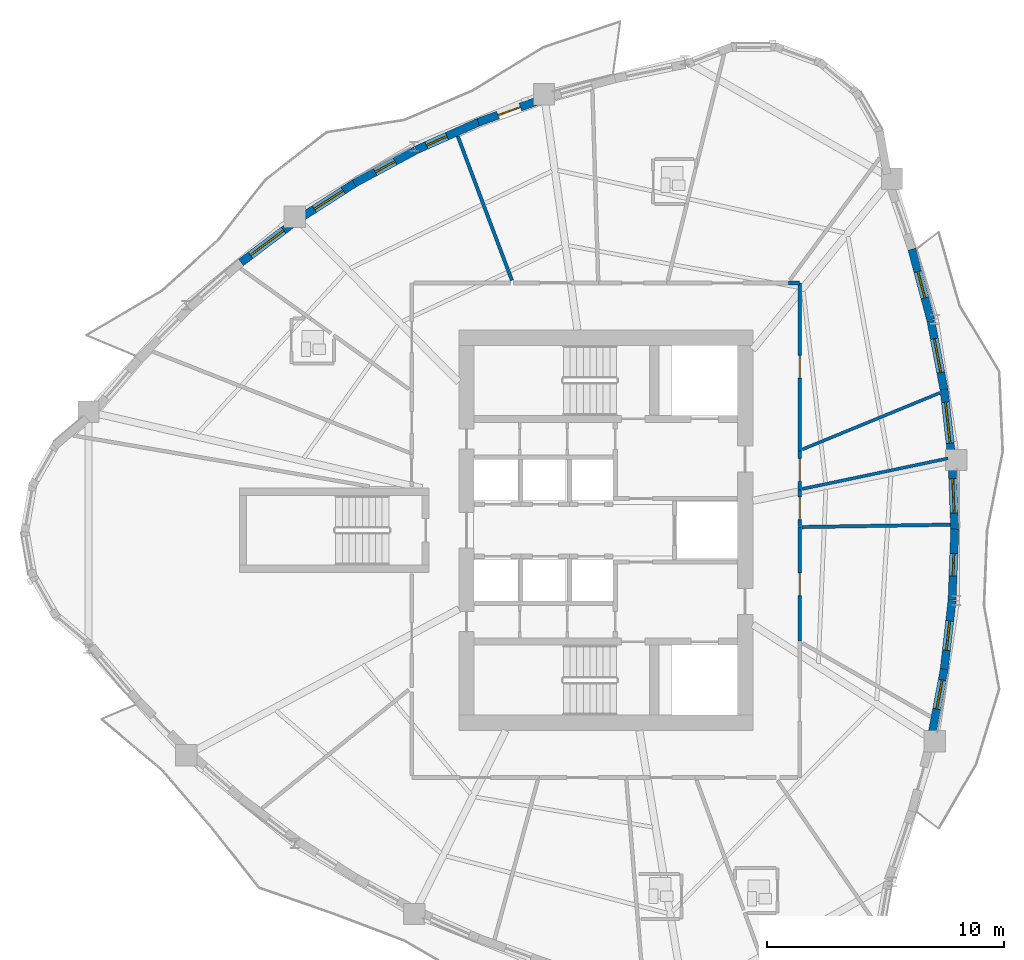
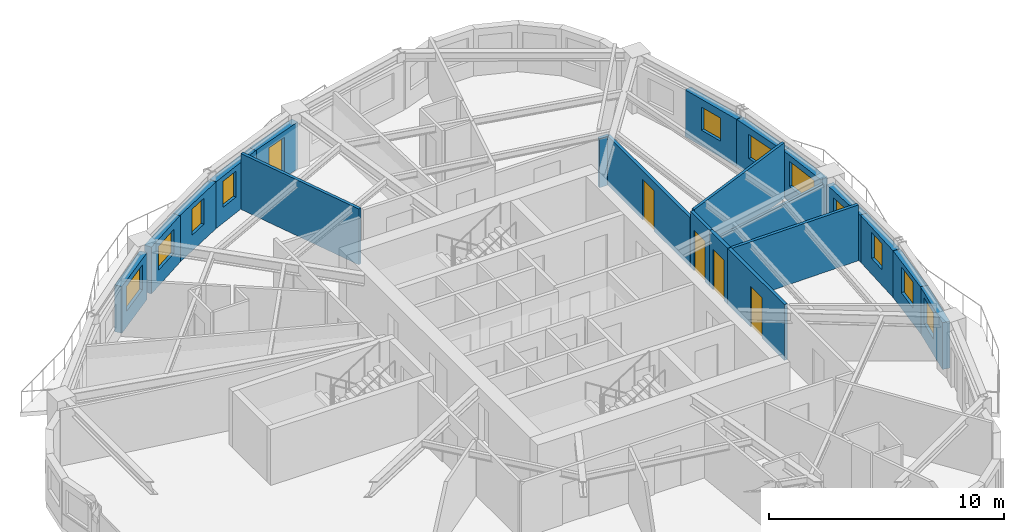
# One storey, part 7 of 12: 21 walls, 11 windows, 5 doors, 16 openings.
"""IFC4 building model written with IfcOpenShell, lengths in metres."""

from ifc_helpers import new_model, si_unit, direction, frame, frame_2d, origin, place, context, subcontext, project, spatial, rectangle, extrude, source, transform, mapped, material, layer, layer_set, type_object, element, fill, save


model = new_model("IFC4")

# Units and contexts
model_context = context("Model", 3, precision=1e-05, world=origin(), true_north=direction((0.0, 1.0)))
body_context = subcontext(model_context, "Body", "Model", "MODEL_VIEW")
ifc_project = project(units=[si_unit("LENGTHUNIT", "METRE"), si_unit("AREAUNIT", "SQUARE_METRE"), si_unit("VOLUMEUNIT", "CUBIC_METRE"), si_unit("PLANEANGLEUNIT", "RADIAN"), si_unit("MASSUNIT", "GRAM", prefix="KILO")], contexts=[model_context])

# Site, building, storey
site_placement = place(None, origin())
site = spatial("IfcSite", under=ifc_project, at=site_placement, CompositionType="ELEMENT")
building_placement = place(site_placement, origin())
building = spatial("IfcBuilding", under=site, at=building_placement, Name="Qafzar Sky-Pleat Residences", CompositionType="ELEMENT")
storey_placement = place(building_placement, frame((0.0, 0.0, 124.800048828125)))
storey = spatial("IfcBuildingStorey", under=building, at=storey_placement, Name="L37", CompositionType="ELEMENT", Elevation=124.800048828125)

# Wall, opening, door
ifc_material_1 = material(Name="Acoustic gypsum plasterboard partition", Category="gypsum")
ifc_layer_1 = layer(ifc_material_1, 0.159912109375)
ifc_layer_set_1 = layer_set([ifc_layer_1], Name="Acoustic gypsum plasterboard partition")
wall_type_1 = type_object("IfcWallType", Name="PART-COR-160", PredefinedType="PARTITIONING", material=ifc_layer_set_1)
wall_1_placement = place(storey_placement, frame((38.530029296875, 36.429931640625, 0.0), z_axis=(0.0, 0.0, 1.0), x_axis=(0.0, -1.0, 0.0)))
wall_1 = element("IfcWall", 1, at=wall_1_placement, inside=storey, type_object=wall_type_1, Name="L37 Partition Wall PART-L37-PW-001", PredefinedType="PARTITIONING", context=body_context, shape_type="SweptSolid", body=[
    extrude(rectangle(XDim=7.0830078125, YDim=0.159912109375, at=frame_2d((3.54150390625, 0.0))), origin(), (0.0, 0.0, 1.0), 2.537841796875),
])
opening_1_placement = place(wall_1_placement, frame((3.052978515625, 0.0, 0.0)))
opening_1 = element("IfcOpeningElement", 2, at=opening_1_placement, cuts=wall_1, Name="Opening ID-06", PredefinedType="OPENING", context=body_context, shape_type="SweptSolid", body=[
    extrude(rectangle(XDim=0.9599609375, YDim=2.10009765625, at=frame_2d((0.47998046875, 1.050048828125))), frame((0.0, 0.08984375, 0.0), z_axis=(0.0, -1.0, 0.0), x_axis=(1.0, 0.0, 0.0)), (0.0, 0.0, 1.0), 0.179931640625),
])
ifc_material_2 = material(Name="Timber-faced fire door", Category="wood")
door_type_1 = type_object("IfcDoorType", Name="DR-STD-960", OperationType="NOTDEFINED", PredefinedType="DOOR", material=ifc_material_2)
shared_shape_1 = source(origin(), body_context, "Body", "SweptSolid", [
    extrude(rectangle(XDim=0.9599609375, YDim=2.10009765625, at=frame_2d((0.47998046875, 1.050048828125))), frame((0.0, 0.02490234375, 0.0), z_axis=(0.0, -1.0, 0.0), x_axis=(1.0, 0.0, 0.0)), (0.0, 0.0, 1.0), 0.050048828125),
])
door_1_placement = place(opening_1_placement, origin())
door_1 = element("IfcDoor", 3, at=door_1_placement, inside=storey, type_object=door_type_1, Name="L37 Reading Library Door", OperationType="SINGLE_SWING_RIGHT", OverallHeight=2.10009765625, OverallWidth=0.9599609375, PredefinedType="DOOR", context=body_context, shape_type="MappedRepresentation", body=[
    mapped(shared_shape_1, transform((0.0, 0.0, 0.0), x_axis=(1.0, 0.0, 0.0), y_axis=(0.0, 1.0, 0.0), z_axis=(0.0, 0.0, 1.0), scale=1.0)),
])
fill(opening_1, door_1)

wall_2_placement = place(storey_placement, frame((38.530029296875, 26.14697265625, 0.0), z_axis=(0.0, 0.0, 1.0), x_axis=(0.0, -1.0, 0.0)))
wall_2 = element("IfcWall", 4, at=wall_2_placement, inside=storey, type_object=wall_type_1, Name="L37 Partition Wall PART-L37-PW-006", PredefinedType="PARTITIONING", context=body_context, shape_type="SweptSolid", body=[
    extrude(rectangle(XDim=4.81103515625, YDim=0.159912109375, at=frame_2d((2.405517578125, 0.0))), origin(), (0.0, 0.0, 1.0), 2.89990234375),
])
opening_2_placement = place(wall_2_placement, frame((1.948974609375, 0.0, 0.0)))
opening_2 = element("IfcOpeningElement", 5, at=opening_2_placement, cuts=wall_2, Name="Opening ID-06", PredefinedType="OPENING", context=body_context, shape_type="SweptSolid", body=[
    extrude(rectangle(XDim=0.9599609375, YDim=2.10009765625, at=frame_2d((0.47998046875, 1.050048828125))), frame((0.0, 0.08984375, 0.0), z_axis=(0.0, -1.0, 0.0), x_axis=(1.0, 0.0, 0.0)), (0.0, 0.0, 1.0), 0.179931640625),
])
door_2_placement = place(opening_2_placement, origin())
door_2 = element("IfcDoor", 6, at=door_2_placement, inside=storey, type_object=door_type_1, Name="L37 Media Screening Room Door", OperationType="SINGLE_SWING_RIGHT", OverallHeight=2.10009765625, OverallWidth=0.9599609375, PredefinedType="DOOR", context=body_context, shape_type="MappedRepresentation", body=[
    mapped(shared_shape_1, transform((0.0, 0.0, 0.0), x_axis=(1.0, 0.0, 0.0), y_axis=(0.0, 1.0, 0.0), z_axis=(0.0, 0.0, 1.0), scale=1.0)),
])
fill(opening_2, door_2)

wall_3_placement = place(storey_placement, frame((38.530029296875, 29.33203125, 0.0), z_axis=(0.0, 0.0, 1.0), x_axis=(0.0, -1.0, 0.0)))
wall_3 = element("IfcWall", 7, at=wall_3_placement, inside=storey, type_object=wall_type_1, Name="L37 Partition Wall PART-L37-PW-018", PredefinedType="PARTITIONING", context=body_context, shape_type="SweptSolid", body=[
    extrude(rectangle(XDim=1.629150390625, YDim=0.159912109375, at=frame_2d((0.814453125, 0.0))), origin(), (0.0, 0.0, 1.0), 2.89990234375),
])
opening_3_placement = place(wall_3_placement, frame((0.31591796875, 0.0, 0.0)))
opening_3 = element("IfcOpeningElement", 8, at=opening_3_placement, cuts=wall_3, Name="Opening ID-08", PredefinedType="OPENING", context=body_context, shape_type="SweptSolid", body=[
    extrude(rectangle(XDim=0.949951171875, YDim=2.10009765625, at=frame_2d((0.47509765625, 1.050048828125))), frame((0.0, 0.08984375, 0.0), z_axis=(0.0, -1.0, 0.0), x_axis=(1.0, 0.0, 0.0)), (0.0, 0.0, 1.0), 0.179931640625),
])
door_type_2 = type_object("IfcDoorType", Name="DR-AWC-950", OperationType="NOTDEFINED", PredefinedType="DOOR", material=ifc_material_2)
shared_shape_2 = source(origin(), body_context, "Body", "SweptSolid", [
    extrude(rectangle(XDim=0.949951171875, YDim=2.10009765625, at=frame_2d((0.47509765625, 1.050048828125))), frame((0.0, 0.02490234375, 0.0), z_axis=(0.0, -1.0, 0.0), x_axis=(1.0, 0.0, 0.0)), (0.0, 0.0, 1.0), 0.050048828125),
])
door_3_placement = place(opening_3_placement, origin())
door_3 = element("IfcDoor", 9, at=door_3_placement, inside=storey, type_object=door_type_2, Name="L37 Accessible Shared Washroom Door", OperationType="SINGLE_SWING_LEFT", OverallHeight=2.10009765625, OverallWidth=0.949951171875, PredefinedType="DOOR", context=body_context, shape_type="MappedRepresentation", body=[
    mapped(shared_shape_2, transform((0.0, 0.0, 0.0), x_axis=(1.0, 0.0, 0.0), y_axis=(0.0, 1.0, 0.0), z_axis=(0.0, 0.0, 1.0), scale=1.0)),
])
fill(opening_3, door_3)

wall_4_placement = place(storey_placement, frame((38.530029296875, 27.68798828125, 0.0), z_axis=(0.0, 0.0, 1.0), x_axis=(0.0, -1.0, 0.0)))
wall_4 = element("IfcWall", 10, at=wall_4_placement, inside=storey, type_object=wall_type_1, Name="L37 Partition Wall PART-L37-PW-019", PredefinedType="PARTITIONING", context=body_context, shape_type="SweptSolid", body=[
    extrude(rectangle(XDim=1.52587890625, YDim=0.159912109375, at=frame_2d((0.762939453125, 0.0))), origin(), (0.0, 0.0, 1.0), 2.89990234375),
])
opening_4_placement = place(wall_4_placement, frame((0.282958984375, 0.0, 0.0)))
opening_4 = element("IfcOpeningElement", 11, at=opening_4_placement, cuts=wall_4, Name="Opening ID-06", PredefinedType="OPENING", context=body_context, shape_type="SweptSolid", body=[
    extrude(rectangle(XDim=0.9599609375, YDim=2.10009765625, at=frame_2d((0.47998046875, 1.050048828125))), frame((0.0, 0.08984375, 0.0), z_axis=(0.0, -1.0, 0.0), x_axis=(1.0, 0.0, 0.0)), (0.0, 0.0, 1.0), 0.179931640625),
])
door_4_placement = place(opening_4_placement, origin())
door_4 = element("IfcDoor", 12, at=door_4_placement, inside=storey, type_object=door_type_1, Name="L37 Scholar Study Room Door", OperationType="SINGLE_SWING_RIGHT", OverallHeight=2.10009765625, OverallWidth=0.9599609375, PredefinedType="DOOR", context=body_context, shape_type="MappedRepresentation", body=[
    mapped(shared_shape_1, transform((0.0, 0.0, 0.0), x_axis=(1.0, 0.0, 0.0), y_axis=(0.0, 1.0, 0.0), z_axis=(0.0, 0.0, 1.0), scale=1.0)),
])
fill(opening_4, door_4)

# Walls
wall_5_placement = place(storey_placement, frame((38.05810546875, 36.429931640625, 0.0), z_axis=(0.0, 0.0, 1.0), x_axis=(1.0, 0.0, 0.0)))
element("IfcWall", 13, at=wall_5_placement, inside=storey, type_object=wall_type_1, Name="L37 Partition Wall PART-L37-PW-056", PredefinedType="PARTITIONING", context=body_context, shape_type="SweptSolid", body=[
    extrude(rectangle(XDim=0.471923828125, YDim=0.159912109375, at=frame_2d((0.23583984375, 0.0))), origin(), (0.0, 0.0, 1.0), 2.537841796875),
])
ifc_layer_2 = layer(ifc_material_1, 0.14501953125)
ifc_layer_set_2 = layer_set([ifc_layer_2], Name="Acoustic gypsum plasterboard partition")
wall_type_2 = type_object("IfcWallType", Name="PART-UNIT-145", PredefinedType="PARTITIONING", material=ifc_layer_set_2)
wall_6_placement = place(storey_placement, frame((24.106689453125, 42.621337890625, 0.0), z_axis=(0.0, 0.0, 1.0), x_axis=(0.351605509999, -0.93614826034, 0.0)))
element("IfcWall", 14, at=wall_6_placement, inside=storey, type_object=wall_type_2, Name="L37 Partition Wall PART-L37-PW-028", PredefinedType="PARTITIONING", context=body_context, shape_type="SweptSolid", body=[
    extrude(rectangle(XDim=6.492919921875, YDim=0.14501953125, at=frame_2d((3.24658203125, 0.0))), origin(), (0.0, 0.0, 1.0), 2.89990234375),
])
wall_7_placement = place(storey_placement, frame((38.619140625, 26.13330078125, 0.0), z_axis=(0.0, 0.0, 1.0), x_axis=(0.999869130012, 0.016177850558, 0.0)))
element("IfcWall", 15, at=wall_7_placement, inside=storey, type_object=wall_type_2, Name="L37 Partition Wall PART-L37-PW-033", PredefinedType="PARTITIONING", context=body_context, shape_type="SweptSolid", body=[
    extrude(rectangle(XDim=6.2626953125, YDim=0.14501953125, at=frame_2d((3.13134765625, 0.0))), origin(), (0.0, 0.0, 1.0), 2.89990234375),
])
ifc_material_3 = material(Name="Moisture-resistant gypsum partition", Category="gypsum")
ifc_layer_3 = layer(ifc_material_3, 0.1298828125)
ifc_layer_set_3 = layer_set([ifc_layer_3], Name="Moisture-resistant gypsum partition")
wall_type_3 = type_object("IfcWallType", Name="PART-WET-130", PredefinedType="PARTITIONING", material=ifc_layer_set_3)
wall_8_placement = place(storey_placement, frame((38.64208984375, 29.41015625, 0.0), z_axis=(0.0, 0.0, 1.0), x_axis=(0.924865201518, 0.380295094659, 0.0)))
element("IfcWall", 16, at=wall_8_placement, inside=storey, type_object=wall_type_3, Name="L37 Partition Wall PART-L37-PW-030", PredefinedType="PARTITIONING", context=body_context, shape_type="SweptSolid", body=[
    extrude(rectangle(XDim=6.265625, YDim=0.1298828125, at=frame_2d((3.1328125, 0.0))), origin(), (0.0, 0.0, 1.0), 2.89990234375),
])
wall_9_placement = place(storey_placement, frame((38.631103515625, 27.7392578125, 0.0), z_axis=(0.0, 0.0, 1.0), x_axis=(0.978654667538, 0.205511658323, 0.0)))
element("IfcWall", 17, at=wall_9_placement, inside=storey, type_object=wall_type_3, Name="L37 Partition Wall PART-L37-PW-032", PredefinedType="PARTITIONING", context=body_context, shape_type="SweptSolid", body=[
    extrude(rectangle(XDim=6.290283203125, YDim=0.1298828125, at=frame_2d((3.14501953125, 0.0))), origin(), (0.0, 0.0, 1.0), 2.31787109375),
])

# Wall, opening, window
ifc_material_4 = material(Name="Precast concrete C40/50 with honed Riyadh limestone", Category="concrete")
ifc_layer_4 = layer(ifc_material_4, 0.340087890625)
ifc_layer_set_4 = layer_set([ifc_layer_4], Name="Precast concrete C40/50 with honed Riyadh limestone")
wall_type_4 = type_object("IfcWallType", Name="WALL-EXT-340", PredefinedType="SOLIDWALL", material=ifc_layer_set_4)
wall_10_placement = place(storey_placement, frame((44.101318359375, 17.361083984375, 0.0), z_axis=(0.0, 0.0, 1.0), x_axis=(0.186739007234, 0.982409559795, 0.0)))
wall_10 = element("IfcWall", 18, at=wall_10_placement, inside=storey, type_object=wall_type_4, Name="L37 Limestone Facade Wall 25", PredefinedType="SOLIDWALL", context=body_context, shape_type="SweptSolid", body=[
    extrude(rectangle(XDim=2.82666015625, YDim=0.340087890625, at=frame_2d((1.413330078125, 0.0))), origin(), (0.0, 0.0, 1.0), 2.429931640625),
])
opening_5_placement = place(wall_10_placement, frame((1.117919921875, 0.0, 0.820068359375)))
opening_5 = element("IfcOpeningElement", 19, at=opening_5_placement, cuts=wall_10, Name="Opening WN-11", PredefinedType="OPENING", context=body_context, shape_type="SweptSolid", body=[
    extrude(rectangle(XDim=1.25, YDim=1.35009765625, at=frame_2d((0.625, 0.675048828125))), frame((0.0, 0.18017578125, 0.0), z_axis=(0.0, -1.0, 0.0), x_axis=(1.0, 0.0, 0.0)), (0.0, 0.0, 1.0), 0.360107421875),
])
ifc_material_5 = material(Name="Solar-control low-E glass in bronze aluminium frame", Category="glass")
window_type_1 = type_object("IfcWindowType", Name="WIN-11", PartitioningType="SINGLE_PANEL", PredefinedType="WINDOW", material=ifc_material_5)
shared_shape_3 = source(origin(), body_context, "Body", "SweptSolid", [
    extrude(rectangle(XDim=1.25, YDim=1.35009765625, at=frame_2d((0.625, 0.675048828125))), frame((0.0, 0.030029296875, 0.0), z_axis=(0.0, -1.0, 0.0), x_axis=(1.0, 0.0, 0.0)), (0.0, 0.0, 1.0), 0.06005859375),
])
window_1_placement = place(opening_5_placement, origin())
window_1 = element("IfcWindow", 20, at=window_1_placement, inside=storey, type_object=window_type_1, Name="L37 Punched Facade Window 25-2", OverallHeight=1.35009765625, OverallWidth=1.25, PartitioningType="SINGLE_PANEL", PredefinedType="WINDOW", context=body_context, shape_type="MappedRepresentation", body=[
    mapped(shared_shape_3, transform((0.0, 0.0, 0.0), x_axis=(1.0, 0.0, 0.0), y_axis=(0.0, 1.0, 0.0), z_axis=(0.0, 0.0, 1.0), scale=1.0)),
])
fill(opening_5, window_1)

wall_11_placement = place(storey_placement, frame((44.61572265625, 20.05029296875, 0.0), z_axis=(0.0, 0.0, 1.0), x_axis=(0.113250801133, 0.993566432627, 0.0)))
wall_11 = element("IfcWall", 21, at=wall_11_placement, inside=storey, type_object=wall_type_4, Name="L37 Limestone Facade Wall 26", PredefinedType="SOLIDWALL", context=body_context, shape_type="SweptSolid", body=[
    extrude(rectangle(XDim=3.0029296875, YDim=0.340087890625, at=frame_2d((1.50146484375, 0.0))), origin(), (0.0, 0.0, 1.0), 2.429931640625),
])
opening_6_placement = place(wall_11_placement, frame((0.886474609375, 0.0, 0.820068359375)))
opening_6 = element("IfcOpeningElement", 22, at=opening_6_placement, cuts=wall_11, Name="Opening WN-11", PredefinedType="OPENING", context=body_context, shape_type="SweptSolid", body=[
    extrude(rectangle(XDim=1.25, YDim=1.35009765625, at=frame_2d((0.625, 0.675048828125))), frame((0.0, 0.18017578125, 0.0), z_axis=(0.0, -1.0, 0.0), x_axis=(1.0, 0.0, 0.0)), (0.0, 0.0, 1.0), 0.360107421875),
])
window_2_placement = place(opening_6_placement, origin())
window_2 = element("IfcWindow", 23, at=window_2_placement, inside=storey, type_object=window_type_1, Name="L37 Punched Facade Window 26", OverallHeight=1.35009765625, OverallWidth=1.25, PartitioningType="SINGLE_PANEL", PredefinedType="WINDOW", context=body_context, shape_type="MappedRepresentation", body=[
    mapped(shared_shape_3, transform((0.0, 0.0, 0.0), x_axis=(1.0, 0.0, 0.0), y_axis=(0.0, 1.0, 0.0), z_axis=(0.0, 0.0, 1.0), scale=1.0)),
])
fill(opening_6, window_2)

wall_12_placement = place(storey_placement, frame((44.9580078125, 23.060791015625, 0.0), z_axis=(0.0, 0.0, 1.0), x_axis=(0.037940097137, 0.999280015326, 0.0)))
wall_12 = element("IfcWall", 24, at=wall_12_placement, inside=storey, type_object=wall_type_4, Name="L37 Limestone Facade Wall 27", PredefinedType="SOLIDWALL", context=body_context, shape_type="SweptSolid", body=[
    extrude(rectangle(XDim=2.98583984375, YDim=0.340087890625, at=frame_2d((1.492919921875, 0.0))), origin(), (0.0, 0.0, 1.0), 2.429931640625),
])
opening_7_placement = place(wall_12_placement, frame((1.0078125, 0.0, 0.820068359375)))
opening_7 = element("IfcOpeningElement", 25, at=opening_7_placement, cuts=wall_12, Name="Opening WN-12", PredefinedType="OPENING", context=body_context, shape_type="SweptSolid", body=[
    extrude(rectangle(XDim=0.949951171875, YDim=1.35009765625, at=frame_2d((0.47509765625, 0.675048828125))), frame((0.0, 0.18017578125, 0.0), z_axis=(0.0, -1.0, 0.0), x_axis=(1.0, 0.0, 0.0)), (0.0, 0.0, 1.0), 0.360107421875),
])
window_type_2 = type_object("IfcWindowType", Name="WIN-12", PartitioningType="SINGLE_PANEL", PredefinedType="WINDOW", material=ifc_material_5)
shared_shape_4 = source(origin(), body_context, "Body", "SweptSolid", [
    extrude(rectangle(XDim=0.949951171875, YDim=1.35009765625, at=frame_2d((0.47509765625, 0.675048828125))), frame((0.0, 0.030029296875, 0.0), z_axis=(0.0, -1.0, 0.0), x_axis=(1.0, 0.0, 0.0)), (0.0, 0.0, 1.0), 0.06005859375),
])
window_3_placement = place(opening_7_placement, origin())
window_3 = element("IfcWindow", 26, at=window_3_placement, inside=storey, type_object=window_type_2, Name="L37 Punched Facade Window 27", OverallHeight=1.35009765625, OverallWidth=0.949951171875, PartitioningType="SINGLE_PANEL", PredefinedType="WINDOW", context=body_context, shape_type="MappedRepresentation", body=[
    mapped(shared_shape_4, transform((0.0, 0.0, 0.0), x_axis=(1.0, 0.0, 0.0), y_axis=(0.0, 1.0, 0.0), z_axis=(0.0, 0.0, 1.0), scale=1.0)),
])
fill(opening_7, window_3)

wall_13_placement = place(storey_placement, frame((45.0712890625, 25.95556640625, 0.0), z_axis=(0.0, 0.0, 1.0), x_axis=(-0.037997361734, 0.999277839493, 0.0)))
wall_13 = element("IfcWall", 27, at=wall_13_placement, inside=storey, type_object=wall_type_4, Name="L37 Limestone Facade Wall 28", PredefinedType="SOLIDWALL", context=body_context, shape_type="SweptSolid", body=[
    extrude(rectangle(XDim=2.775634765625, YDim=0.340087890625, at=frame_2d((1.3876953125, 0.0))), origin(), (0.0, 0.0, 1.0), 2.429931640625),
])
opening_8_placement = place(wall_13_placement, frame((0.7705078125, 0.0, 0.820068359375)))
opening_8 = element("IfcOpeningElement", 28, at=opening_8_placement, cuts=wall_13, Name="Opening WN-15", PredefinedType="OPENING", context=body_context, shape_type="SweptSolid", body=[
    extrude(rectangle(XDim=1.449951171875, YDim=1.25, at=frame_2d((0.72509765625, 0.625))), frame((0.0, 0.18017578125, 0.0), z_axis=(0.0, -1.0, 0.0), x_axis=(1.0, 0.0, 0.0)), (0.0, 0.0, 1.0), 0.360107421875),
])
window_type_3 = type_object("IfcWindowType", Name="WIN-15", PartitioningType="SINGLE_PANEL", PredefinedType="WINDOW", material=ifc_material_5)
shared_shape_5 = source(origin(), body_context, "Body", "SweptSolid", [
    extrude(rectangle(XDim=1.449951171875, YDim=1.25, at=frame_2d((0.72509765625, 0.625))), frame((0.0, 0.030029296875, 0.0), z_axis=(0.0, -1.0, 0.0), x_axis=(1.0, 0.0, 0.0)), (0.0, 0.0, 1.0), 0.06005859375),
])
window_4_placement = place(opening_8_placement, origin())
window_4 = element("IfcWindow", 29, at=window_4_placement, inside=storey, type_object=window_type_3, Name="L37 Punched Facade Window 28", OverallHeight=1.25, OverallWidth=1.449951171875, PartitioningType="SINGLE_PANEL", PredefinedType="WINDOW", context=body_context, shape_type="MappedRepresentation", body=[
    mapped(shared_shape_5, transform((0.0, 0.0, 0.0), x_axis=(1.0, 0.0, 0.0), y_axis=(0.0, 1.0, 0.0), z_axis=(0.0, 0.0, 1.0), scale=1.0)),
])
fill(opening_8, window_4)

wall_14_placement = place(storey_placement, frame((44.93212890625, 29.1748046875, 0.0), z_axis=(0.0, 0.0, 1.0), x_axis=(-0.113290188042, 0.993561942354, 0.0)))
wall_14 = element("IfcWall", 30, at=wall_14_placement, inside=storey, type_object=wall_type_4, Name="L37 Limestone Facade Wall 29", PredefinedType="SOLIDWALL", context=body_context, shape_type="SweptSolid", body=[
    extrude(rectangle(XDim=2.79296875, YDim=0.340087890625, at=frame_2d((1.396484375, 0.0))), origin(), (0.0, 0.0, 1.0), 2.429931640625),
])
opening_9_placement = place(wall_14_placement, frame((0.493408203125, 0.0, 0.820068359375)))
opening_9 = element("IfcOpeningElement", 31, at=opening_9_placement, cuts=wall_14, Name="Opening WN-14", PredefinedType="OPENING", context=body_context, shape_type="SweptSolid", body=[
    extrude(rectangle(XDim=1.75, YDim=1.300048828125, at=frame_2d((0.875, 0.64990234375))), frame((0.0, 0.18017578125, 0.0), z_axis=(0.0, -1.0, 0.0), x_axis=(1.0, 0.0, 0.0)), (0.0, 0.0, 1.0), 0.360107421875),
])
window_type_4 = type_object("IfcWindowType", Name="WIN-14", PartitioningType="DOUBLE_PANEL_VERTICAL", PredefinedType="WINDOW", material=ifc_material_5)
shared_shape_6 = source(origin(), body_context, "Body", "SweptSolid", [
    extrude(rectangle(XDim=1.75, YDim=1.300048828125, at=frame_2d((0.875, 0.64990234375))), frame((0.0, 0.030029296875, 0.0), z_axis=(0.0, -1.0, 0.0), x_axis=(1.0, 0.0, 0.0)), (0.0, 0.0, 1.0), 0.06005859375),
])
window_5_placement = place(opening_9_placement, origin())
window_5 = element("IfcWindow", 32, at=window_5_placement, inside=storey, type_object=window_type_4, Name="L37 Punched Facade Window 29", OverallHeight=1.300048828125, OverallWidth=1.75, PartitioningType="SINGLE_PANEL", PredefinedType="WINDOW", context=body_context, shape_type="MappedRepresentation", body=[
    mapped(shared_shape_6, transform((0.0, 0.0, 0.0), x_axis=(1.0, 0.0, 0.0), y_axis=(0.0, 1.0, 0.0), z_axis=(0.0, 0.0, 1.0), scale=1.0)),
])
fill(opening_9, window_5)

wall_15_placement = place(storey_placement, frame((44.629150390625, 31.862060546875, 0.0), z_axis=(0.0, 0.0, 1.0), x_axis=(-0.186690909565, 0.982418701108, 0.0)))
wall_15 = element("IfcWall", 33, at=wall_15_placement, inside=storey, type_object=wall_type_4, Name="L37 Limestone Facade Wall 30", PredefinedType="SOLIDWALL", context=body_context, shape_type="SweptSolid", body=[
    extrude(rectangle(XDim=3.03662109375, YDim=0.340087890625, at=frame_2d((1.518310546875, 0.0))), origin(), (0.0, 0.0, 1.0), 2.429931640625),
])
opening_10_placement = place(wall_15_placement, frame((0.80322265625, 0.0, 0.820068359375)))
opening_10 = element("IfcOpeningElement", 34, at=opening_10_placement, cuts=wall_15, Name="Opening WN-15", PredefinedType="OPENING", context=body_context, shape_type="SweptSolid", body=[
    extrude(rectangle(XDim=1.449951171875, YDim=1.25, at=frame_2d((0.72509765625, 0.625))), frame((0.0, 0.18017578125, 0.0), z_axis=(0.0, -1.0, 0.0), x_axis=(1.0, 0.0, 0.0)), (0.0, 0.0, 1.0), 0.360107421875),
])
window_6_placement = place(opening_10_placement, origin())
window_6 = element("IfcWindow", 35, at=window_6_placement, inside=storey, type_object=window_type_3, Name="L37 Punched Facade Window 30", OverallHeight=1.25, OverallWidth=1.449951171875, PartitioningType="SINGLE_PANEL", PredefinedType="WINDOW", context=body_context, shape_type="MappedRepresentation", body=[
    mapped(shared_shape_5, transform((0.0, 0.0, 0.0), x_axis=(1.0, 0.0, 0.0), y_axis=(0.0, 1.0, 0.0), z_axis=(0.0, 0.0, 1.0), scale=1.0)),
])
fill(opening_10, window_6)

wall_16_placement = place(storey_placement, frame((44.05615234375, 34.872314453125, 0.0), z_axis=(0.0, 0.0, 1.0), x_axis=(-0.257081647056, 0.966389686797, 0.0)))
wall_16 = element("IfcWall", 36, at=wall_16_placement, inside=storey, type_object=wall_type_4, Name="L37 Limestone Facade Wall 31", PredefinedType="SOLIDWALL", context=body_context, shape_type="SweptSolid", body=[
    extrude(rectangle(XDim=3.08642578125, YDim=0.340087890625, at=frame_2d((1.543212890625, 0.0))), origin(), (0.0, 0.0, 1.0), 2.429931640625),
])
opening_11_placement = place(wall_16_placement, frame((0.958251953125, 0.0, 0.820068359375)))
opening_11 = element("IfcOpeningElement", 37, at=opening_11_placement, cuts=wall_16, Name="Opening WN-16", PredefinedType="OPENING", context=body_context, shape_type="SweptSolid", body=[
    extrude(rectangle(XDim=1.14990234375, YDim=1.199951171875, at=frame_2d((0.574951171875, 0.60009765625))), frame((0.0, 0.18017578125, 0.0), z_axis=(0.0, -1.0, 0.0), x_axis=(1.0, 0.0, 0.0)), (0.0, 0.0, 1.0), 0.360107421875),
])
window_type_5 = type_object("IfcWindowType", Name="WIN-16", PartitioningType="SINGLE_PANEL", PredefinedType="WINDOW", material=ifc_material_5)
shared_shape_7 = source(origin(), body_context, "Body", "SweptSolid", [
    extrude(rectangle(XDim=1.14990234375, YDim=1.199951171875, at=frame_2d((0.574951171875, 0.60009765625))), frame((0.0, 0.030029296875, 0.0), z_axis=(0.0, -1.0, 0.0), x_axis=(1.0, 0.0, 0.0)), (0.0, 0.0, 1.0), 0.06005859375),
])
window_7_placement = place(opening_11_placement, origin())
window_7 = element("IfcWindow", 38, at=window_7_placement, inside=storey, type_object=window_type_5, Name="L37 Punched Facade Window 31", OverallHeight=1.199951171875, OverallWidth=1.14990234375, PartitioningType="SINGLE_PANEL", PredefinedType="WINDOW", context=body_context, shape_type="MappedRepresentation", body=[
    mapped(shared_shape_7, transform((0.0, 0.0, 0.0), x_axis=(1.0, 0.0, 0.0), y_axis=(0.0, 1.0, 0.0), z_axis=(0.0, 0.0, 1.0), scale=1.0)),
])
fill(opening_11, window_7)

# Wall, opening, door
wall_17_placement = place(storey_placement, frame((27.58642578125, 44.1494140625, 0.0), z_axis=(0.0, 0.0, 1.0), x_axis=(-0.941112277287, -0.338094190338, 0.0)))
wall_17 = element("IfcWall", 39, at=wall_17_placement, inside=storey, type_object=wall_type_4, Name="L37 Limestone Facade Wall 41", PredefinedType="SOLIDWALL", context=body_context, shape_type="SweptSolid", body=[
    extrude(rectangle(XDim=2.779296875, YDim=0.340087890625, at=frame_2d((1.3896484375, 0.0))), origin(), (0.0, 0.0, 1.0), 2.429931640625),
])
opening_12_placement = place(wall_17_placement, frame((0.889892578125, 0.0, 0.0)))
opening_12 = element("IfcOpeningElement", 40, at=opening_12_placement, cuts=wall_17, Name="Opening ED-05", PredefinedType="OPENING", context=body_context, shape_type="SweptSolid", body=[
    extrude(rectangle(XDim=1.0, YDim=2.10009765625, at=frame_2d((0.5, 1.050048828125))), frame((0.0, 0.18017578125, 0.0), z_axis=(0.0, -1.0, 0.0), x_axis=(1.0, 0.0, 0.0)), (0.0, 0.0, 1.0), 0.360107421875),
])
ifc_material_6 = material(Name="Glazed bronze aluminium door", Category="aluminium")
door_type_3 = type_object("IfcDoorType", Name="DR-BAL-1000", OperationType="NOTDEFINED", PredefinedType="DOOR", material=ifc_material_6)
shared_shape_8 = source(origin(), body_context, "Body", "SweptSolid", [
    extrude(rectangle(XDim=1.0, YDim=2.10009765625, at=frame_2d((0.5, 1.050048828125))), frame((0.0, 0.02490234375, 0.0), z_axis=(0.0, -1.0, 0.0), x_axis=(1.0, 0.0, 0.0)), (0.0, 0.0, 1.0), 0.050048828125),
])
door_5_placement = place(opening_12_placement, origin())
door_5 = element("IfcDoor", 41, at=door_5_placement, inside=storey, type_object=door_type_3, Name="L37 Glazed Balcony Door 2", OperationType="SINGLE_SWING_LEFT", OverallHeight=2.10009765625, OverallWidth=1.0, PredefinedType="DOOR", context=body_context, shape_type="MappedRepresentation", body=[
    mapped(shared_shape_8, transform((0.0, 0.0, 0.0), x_axis=(1.0, 0.0, 0.0), y_axis=(0.0, 1.0, 0.0), z_axis=(0.0, 0.0, 1.0), scale=1.0)),
])
fill(opening_12, door_5)

# Wall, opening, window
wall_18_placement = place(storey_placement, frame((25.052978515625, 43.24267578125, 0.0), z_axis=(0.0, 0.0, 1.0), x_axis=(-0.91339900063, -0.407065431655, 0.0)))
wall_18 = element("IfcWall", 42, at=wall_18_placement, inside=storey, type_object=wall_type_4, Name="L37 Limestone Facade Wall 42", PredefinedType="SOLIDWALL", context=body_context, shape_type="SweptSolid", body=[
    extrude(rectangle(XDim=2.956298828125, YDim=0.340087890625, at=frame_2d((1.47802734375, 0.0))), origin(), (0.0, 0.0, 1.0), 2.429931640625),
])
opening_13_placement = place(wall_18_placement, frame((1.53125, 0.0, 0.820068359375)))
opening_13 = element("IfcOpeningElement", 43, at=opening_13_placement, cuts=wall_18, Name="Opening WN-12", PredefinedType="OPENING", context=body_context, shape_type="SweptSolid", body=[
    extrude(rectangle(XDim=0.949951171875, YDim=1.35009765625, at=frame_2d((0.47509765625, 0.675048828125))), frame((0.0, 0.18017578125, 0.0), z_axis=(0.0, -1.0, 0.0), x_axis=(1.0, 0.0, 0.0)), (0.0, 0.0, 1.0), 0.360107421875),
])
window_8_placement = place(opening_13_placement, origin())
window_8 = element("IfcWindow", 44, at=window_8_placement, inside=storey, type_object=window_type_2, Name="L37 Punched Facade Window 42-2", OverallHeight=1.35009765625, OverallWidth=0.949951171875, PartitioningType="SINGLE_PANEL", PredefinedType="WINDOW", context=body_context, shape_type="MappedRepresentation", body=[
    mapped(shared_shape_4, transform((0.0, 0.0, 0.0), x_axis=(1.0, 0.0, 0.0), y_axis=(0.0, 1.0, 0.0), z_axis=(0.0, 0.0, 1.0), scale=1.0)),
])
fill(opening_13, window_8)

wall_19_placement = place(storey_placement, frame((22.328369140625, 42.027099609375, 0.0), z_axis=(0.0, 0.0, 1.0), x_axis=(-0.880092136679, -0.474802939077, 0.0)))
wall_19 = element("IfcWall", 45, at=wall_19_placement, inside=storey, type_object=wall_type_4, Name="L37 Limestone Facade Wall 43", PredefinedType="SOLIDWALL", context=body_context, shape_type="SweptSolid", body=[
    extrude(rectangle(XDim=2.939697265625, YDim=0.340087890625, at=frame_2d((1.4697265625, 0.0))), origin(), (0.0, 0.0, 1.0), 2.429931640625),
])
opening_14_placement = place(wall_19_placement, frame((0.98486328125, 0.0, 0.820068359375)))
opening_14 = element("IfcOpeningElement", 46, at=opening_14_placement, cuts=wall_19, Name="Opening WN-12", PredefinedType="OPENING", context=body_context, shape_type="SweptSolid", body=[
    extrude(rectangle(XDim=0.949951171875, YDim=1.35009765625, at=frame_2d((0.47509765625, 0.675048828125))), frame((0.0, 0.18017578125, 0.0), z_axis=(0.0, -1.0, 0.0), x_axis=(1.0, 0.0, 0.0)), (0.0, 0.0, 1.0), 0.360107421875),
])
window_9_placement = place(opening_14_placement, origin())
window_9 = element("IfcWindow", 47, at=window_9_placement, inside=storey, type_object=window_type_2, Name="L37 Punched Facade Window 43", OverallHeight=1.35009765625, OverallWidth=0.949951171875, PartitioningType="SINGLE_PANEL", PredefinedType="WINDOW", context=body_context, shape_type="MappedRepresentation", body=[
    mapped(shared_shape_4, transform((0.0, 0.0, 0.0), x_axis=(1.0, 0.0, 0.0), y_axis=(0.0, 1.0, 0.0), z_axis=(0.0, 0.0, 1.0), scale=1.0)),
])
fill(opening_14, window_9)

wall_20_placement = place(storey_placement, frame((19.81787109375, 40.676513671875, 0.0), z_axis=(0.0, 0.0, 1.0), x_axis=(-0.841503814414, -0.540251173369, 0.0)))
wall_20 = element("IfcWall", 48, at=wall_20_placement, inside=storey, type_object=wall_type_4, Name="L37 Limestone Facade Wall 44", PredefinedType="SOLIDWALL", context=body_context, shape_type="SweptSolid", body=[
    extrude(rectangle(XDim=2.7294921875, YDim=0.340087890625, at=frame_2d((1.36474609375, 0.0))), origin(), (0.0, 0.0, 1.0), 2.429931640625),
])
opening_15_placement = place(wall_20_placement, frame((0.644775390625, 0.0, 0.820068359375)))
opening_15 = element("IfcOpeningElement", 49, at=opening_15_placement, cuts=wall_20, Name="Opening WN-15", PredefinedType="OPENING", context=body_context, shape_type="SweptSolid", body=[
    extrude(rectangle(XDim=1.449951171875, YDim=1.25, at=frame_2d((0.72509765625, 0.625))), frame((0.0, 0.18017578125, 0.0), z_axis=(0.0, -1.0, 0.0), x_axis=(1.0, 0.0, 0.0)), (0.0, 0.0, 1.0), 0.360107421875),
])
window_10_placement = place(opening_15_placement, origin())
window_10 = element("IfcWindow", 50, at=window_10_placement, inside=storey, type_object=window_type_3, Name="L37 Punched Facade Window 44", OverallHeight=1.25, OverallWidth=1.449951171875, PartitioningType="SINGLE_PANEL", PredefinedType="WINDOW", context=body_context, shape_type="MappedRepresentation", body=[
    mapped(shared_shape_5, transform((0.0, 0.0, 0.0), x_axis=(1.0, 0.0, 0.0), y_axis=(0.0, 1.0, 0.0), z_axis=(0.0, 0.0, 1.0), scale=1.0)),
])
fill(opening_15, window_10)

wall_21_placement = place(storey_placement, frame((17.154296875, 38.946533203125, 0.0), z_axis=(0.0, 0.0, 1.0), x_axis=(-0.798332692302, -0.602216665663, 0.0)))
wall_21 = element("IfcWall", 51, at=wall_21_placement, inside=storey, type_object=wall_type_4, Name="L37 Limestone Facade Wall 45", PredefinedType="SOLIDWALL", context=body_context, shape_type="SweptSolid", body=[
    extrude(rectangle(XDim=2.74609375, YDim=0.340087890625, at=frame_2d((1.373046875, 0.0))), origin(), (0.0, 0.0, 1.0), 2.429931640625),
])
opening_16_placement = place(wall_21_placement, frame((0.4931640625, 0.0, 0.820068359375)))
opening_16 = element("IfcOpeningElement", 52, at=opening_16_placement, cuts=wall_21, Name="Opening WN-14", PredefinedType="OPENING", context=body_context, shape_type="SweptSolid", body=[
    extrude(rectangle(XDim=1.75, YDim=1.300048828125, at=frame_2d((0.875, 0.64990234375))), frame((0.0, 0.18017578125, 0.0), z_axis=(0.0, -1.0, 0.0), x_axis=(1.0, 0.0, 0.0)), (0.0, 0.0, 1.0), 0.360107421875),
])
window_11_placement = place(opening_16_placement, origin())
window_11 = element("IfcWindow", 53, at=window_11_placement, inside=storey, type_object=window_type_4, Name="L37 Punched Facade Window 45", OverallHeight=1.300048828125, OverallWidth=1.75, PartitioningType="SINGLE_PANEL", PredefinedType="WINDOW", context=body_context, shape_type="MappedRepresentation", body=[
    mapped(shared_shape_6, transform((0.0, 0.0, 0.0), x_axis=(1.0, 0.0, 0.0), y_axis=(0.0, 1.0, 0.0), z_axis=(0.0, 0.0, 1.0), scale=1.0)),
])
fill(opening_16, window_11)

save(model, "model.ifc")
